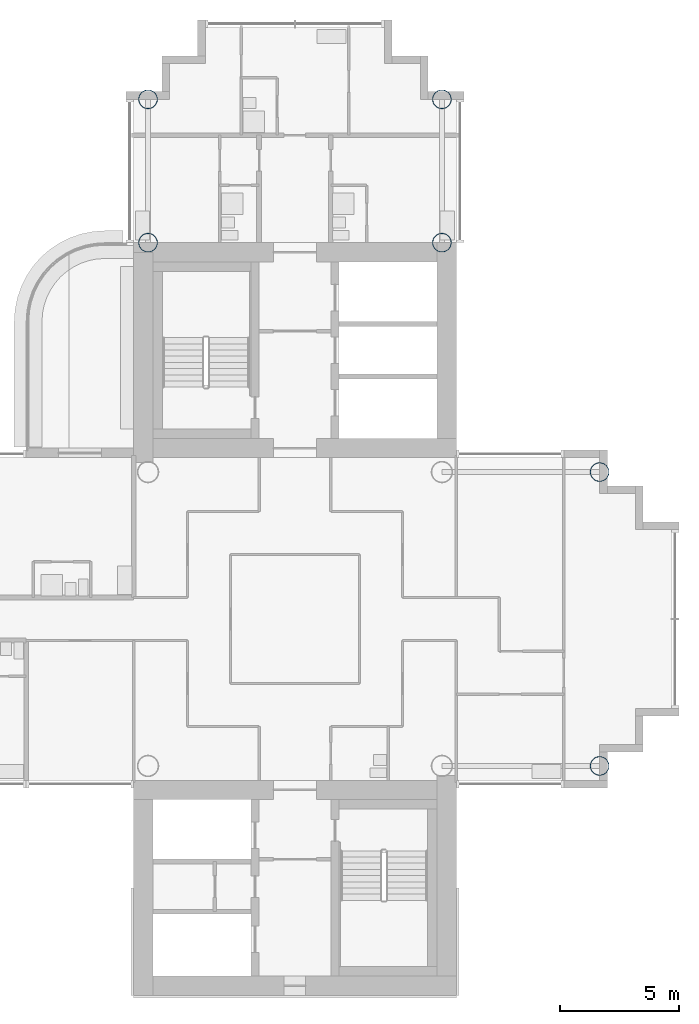
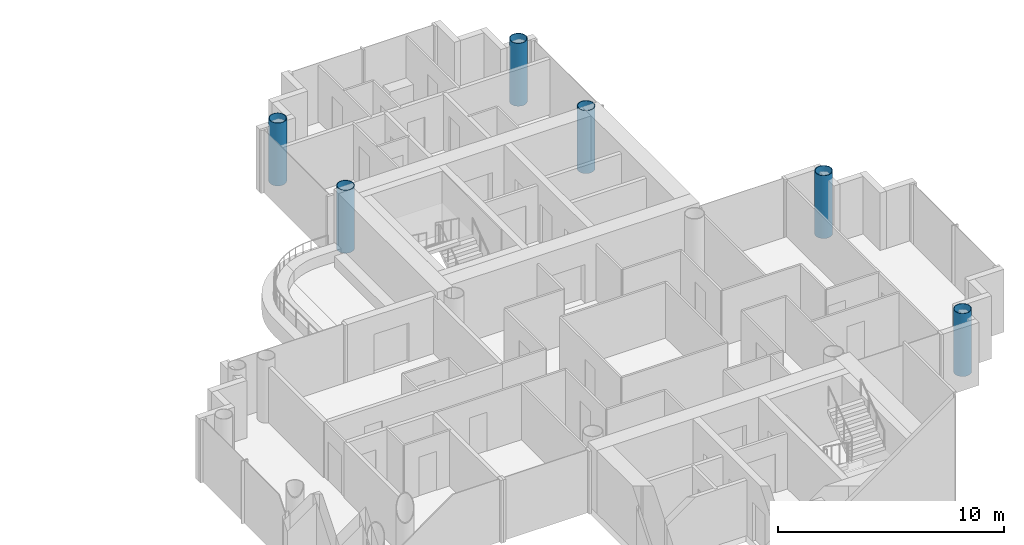
# One storey, part 2 of 20: 6 columns.
"""IFC4 building model written with IfcOpenShell, lengths in metres."""

from ifc_helpers import new_model, si_unit, direction, frame, origin, origin_2d, place, context, subcontext, project, spatial, hollow_circle, extrude, material, material_profile, profile_set, type_object, element, save


model = new_model("IFC4")

# Units and contexts
model_context = context("Model", 3, precision=1e-05, world=origin(), true_north=direction((0.0, 1.0)))
body_context = subcontext(model_context, "Body", "Model", "MODEL_VIEW")
ifc_project = project(units=[si_unit("LENGTHUNIT", "METRE"), si_unit("AREAUNIT", "SQUARE_METRE"), si_unit("VOLUMEUNIT", "CUBIC_METRE"), si_unit("PLANEANGLEUNIT", "RADIAN"), si_unit("MASSUNIT", "GRAM", prefix="KILO")], contexts=[model_context])

# Site, building, storey
site_placement = place(None, origin())
site = spatial("IfcSite", under=ifc_project, at=site_placement, CompositionType="ELEMENT")
building_placement = place(site_placement, origin())
building = spatial("IfcBuilding", under=site, at=building_placement, Name="Ipe Terrace Towers", CompositionType="ELEMENT")
storey_placement = place(building_placement, frame((0.0, 0.0, 167.699951171875)))
storey = spatial("IfcBuildingStorey", under=building, at=storey_placement, Name="L46", CompositionType="ELEMENT", Elevation=167.699951171875)

# Columns
ifc_material = material(Name="Steel S355 tube with Concrete C60/75 fill", Category="concrete")
ifc_material_profile = material_profile(ifc_material, hollow_circle(Radius=0.39990234375, WallThickness=0.028076171875, at=origin_2d()), Name="CHS-800x28")
ifc_profile_set = profile_set([ifc_material_profile], Name="Steel S355 tube with Concrete C60/75 fill")
column_type = type_object("IfcColumnType", Name="CH09 COLUMN CHS-800x28", PredefinedType="COLUMN", material=ifc_profile_set)
for number, where, z_axis, x_axis, name in (
    (1, (42.14990234375, 15.75, 0.0), (0.0, 0.0, 1.0), (1.0, 0.0, 0.0), "Column T2-C-A01"),
    (2, (29.85009765625, 15.75, 0.0), (0.0, 0.0, 1.0), (1.0, 0.0, 0.0), "Column T2-C-A02"),
    (3, (42.14990234375, 21.75, 0.0), (0.0, 0.0, 1.0), (1.0, 0.0, 0.0), "Column T2-C-A03"),
    (4, (29.85009765625, 21.75, 0.0), (0.0, 0.0, 1.0), (1.0, 0.0, 0.0), "Column T2-C-A04"),
    (5, (48.75, -6.14990234375, 0.0), (0.0, 0.0, 1.0), (1.0, 0.0, 0.0), "Column T2-C-D01"),
    (6, (48.75, 6.14990234375, 0.0), (0.0, 0.0, 1.0), (1.0, 0.0, 0.0), "Column T2-C-D02"),
):
    element("IfcColumn", number, at=place(storey_placement, frame(where, z_axis=z_axis, x_axis=x_axis)), inside=storey, type_object=column_type, Name=name, PredefinedType="COLUMN", context=body_context, shape_type="SweptSolid", body=[
        extrude(hollow_circle(Radius=0.39990234375, WallThickness=0.028076171875, at=origin_2d()), origin(), (0.0, 0.0, 1.0), 3.400146484375),
    ])

save(model, "model.ifc")
